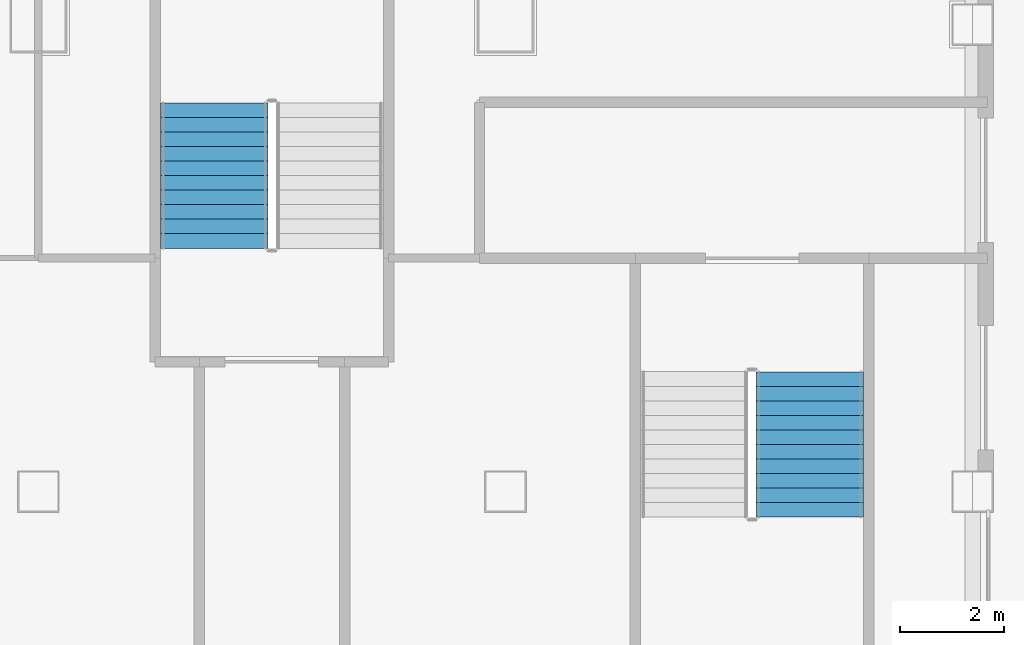
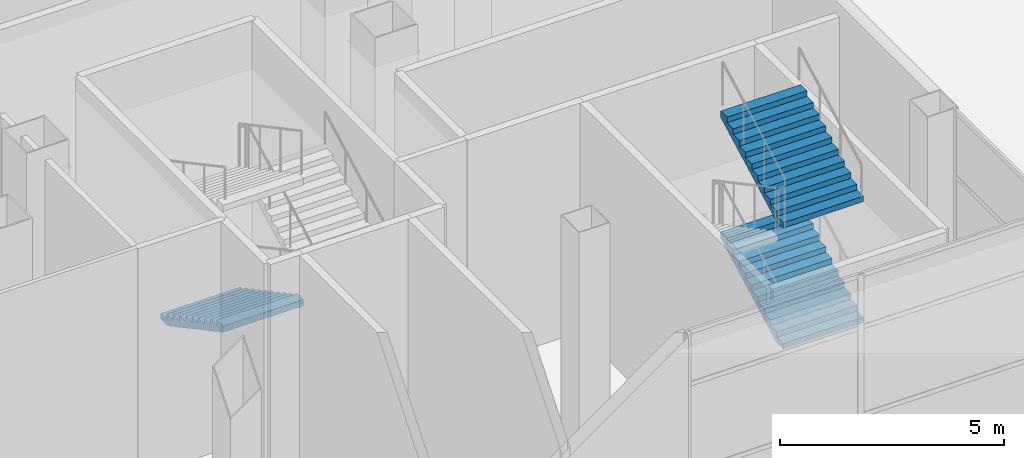
# One storey, part 24 of 38: 3 stair flights, 2 elements without a shape of their own.
"""IFC4 building model written with IfcOpenShell, lengths in metres."""

from ifc_helpers import new_model, si_unit, direction, frame, origin, place, context, subcontext, project, spatial, polygons, material, type_object, element, aggregate, save


model = new_model("IFC4")

# Units and contexts
model_context = context("Model", 3, precision=1e-05, world=origin(), true_north=direction((0.0, 1.0)))
body_context = subcontext(model_context, "Body", "Model", "MODEL_VIEW")
ifc_project = project(units=[si_unit("LENGTHUNIT", "METRE"), si_unit("AREAUNIT", "SQUARE_METRE"), si_unit("VOLUMEUNIT", "CUBIC_METRE"), si_unit("PLANEANGLEUNIT", "RADIAN"), si_unit("MASSUNIT", "GRAM", prefix="KILO")], contexts=[model_context])

# Site, building, storey
site_placement = place(None, origin())
site = spatial("IfcSite", under=ifc_project, at=site_placement, CompositionType="ELEMENT")
building_placement = place(site_placement, origin())
building = spatial("IfcBuilding", under=site, at=building_placement, Name="Caravel Reach Hotel and Residences", CompositionType="ELEMENT")
storey_placement = place(building_placement, origin())
storey = spatial("IfcBuildingStorey", under=building, at=storey_placement, Name="L00", CompositionType="ELEMENT", Elevation=0.0)

# Stair, stair flight
ifc_material_1 = material(Name="Concrete C40", Category="concrete")
stair_type = type_object("IfcStairType", Name="Core stair", PredefinedType="HALF_TURN_STAIR", material=ifc_material_1)
stair_1_placement = place(storey_placement, origin())
stair_1 = element("IfcStair", 1, at=stair_1_placement, inside=storey, type_object=stair_type, Name="L00 Exit stair P4", PredefinedType="HALF_TURN_STAIR")
ifc_material_2 = material(Name="Concrete C40", Category="concrete")
stair_flight_type = type_object("IfcStairFlightType", Name="Core stair flight", PredefinedType="STRAIGHT", material=ifc_material_2)
stair_flight_1_placement = place(storey_placement, frame((52.889892578125, 16.489990234375, 1.64990234375), z_axis=(0.0, 0.0, 1.0), x_axis=(0.0, -1.0, 0.0)))
stair_flight_1 = element("IfcStairFlight", 2, at=stair_flight_1_placement, type_object=stair_flight_type, Name="ST-P4 flight 2", NumberOfRisers=11, NumberOfTreads=10, PredefinedType="STRAIGHT", RiserHeight=0.15, TreadLength=0.28, context=body_context, shape_type="Tessellation", body=[
    polygons([(0.3174408016601862, 1.0350341796875, 0.0), (0.3174408016601862, 0.6900227864583333, 0.0), (0.3174408016601862, 0.34501139322916663, 0.0), (0.3174408016601862, 0.0, 0.0), (0.3174408016601862, -0.34501139322916674, 0.0), (0.3174408016601862, -0.6900227864583333, 0.0), (0.3174408016601862, -1.0350341796875, 0.0), (2.801, 1.0350341796875, 1.329942427682043), (2.801, 0.6900227864583333, 1.329942427682043), (2.801, 0.34501139322916663, 1.329942427682043), (2.801, 0.0, 1.329942427682043), (2.801, -0.34501139322916674, 1.329942427682043), (2.801, -0.6900227864583333, 1.329942427682043), (2.801, -1.0350341796875, 1.329942427682043), (2.801, 1.0350341796875, 1.5), (2.801, 0.6900227864583333, 1.5), (2.801, 0.34501139322916663, 1.5), (2.801, 0.0, 1.5), (2.801, -0.34501139322916674, 1.5), (2.801, -0.6900227864583333, 1.5), (2.801, -1.0350341796875, 1.5), (2.5200000000000005, 1.0350341796875, 1.5), (2.5200000000000005, 0.6900227864583333, 1.5), (2.5200000000000005, 0.34501139322916663, 1.5), (2.5200000000000005, 0.0, 1.5), (2.5200000000000005, -0.34501139322916674, 1.5), (2.5200000000000005, -0.6900227864583333, 1.5), (2.5200000000000005, -1.0350341796875, 1.5), (2.5200000000000005, 1.0350341796875, 1.3499999999999999), (2.5200000000000005, 0.6900227864583333, 1.3499999999999999), (2.5200000000000005, 0.34501139322916663, 1.3499999999999999), (2.5200000000000005, 0.0, 1.3499999999999999), (2.5200000000000005, -0.34501139322916674, 1.3499999999999999), (2.5200000000000005, -0.6900227864583333, 1.3499999999999999), (2.5200000000000005, -1.0350341796875, 1.3499999999999999), (2.24, 1.0350341796875, 1.3499999999999999), (2.24, 0.6900227864583333, 1.3499999999999999), (2.24, 0.34501139322916663, 1.3499999999999999), (2.24, 0.0, 1.3499999999999999), (2.24, -0.34501139322916674, 1.3499999999999999), (2.24, -0.6900227864583333, 1.3499999999999999), (2.24, -1.0350341796875, 1.3499999999999999), (2.24, 1.0350341796875, 1.2), (2.24, 0.6900227864583333, 1.2), (2.24, 0.34501139322916663, 1.2), (2.24, 0.0, 1.2), (2.24, -0.34501139322916674, 1.2), (2.24, -0.6900227864583333, 1.2), (2.24, -1.0350341796875, 1.2), (1.9600000000000002, 1.0350341796875, 1.2), (1.9600000000000002, 0.6900227864583333, 1.2), (1.9600000000000002, 0.34501139322916663, 1.2), (1.9600000000000002, 0.0, 1.2), (1.9600000000000002, -0.34501139322916674, 1.2), (1.9600000000000002, -0.6900227864583333, 1.2), (1.9600000000000002, -1.0350341796875, 1.2), (1.9600000000000002, 1.0350341796875, 1.05), (1.9600000000000002, 0.6900227864583333, 1.05), (1.9600000000000002, 0.34501139322916663, 1.05), (1.9600000000000002, 0.0, 1.05), (1.9600000000000002, -0.34501139322916674, 1.05), (1.9600000000000002, -0.6900227864583333, 1.05), (1.9600000000000002, -1.0350341796875, 1.05), (1.6800000000000002, 1.0350341796875, 1.05), (1.6800000000000002, 0.6900227864583333, 1.05), (1.6800000000000002, 0.34501139322916663, 1.05), (1.6800000000000002, 0.0, 1.05), (1.6800000000000002, -0.34501139322916674, 1.05), (1.6800000000000002, -0.6900227864583333, 1.05), (1.6800000000000002, -1.0350341796875, 1.05), (1.6800000000000002, 1.0350341796875, 0.8999999999999999), (1.6800000000000002, 0.6900227864583333, 0.8999999999999999), (1.6800000000000002, 0.34501139322916663, 0.8999999999999999), (1.6800000000000002, 0.0, 0.8999999999999999), (1.6800000000000002, -0.34501139322916674, 0.8999999999999999), (1.6800000000000002, -0.6900227864583333, 0.8999999999999999), (1.6800000000000002, -1.0350341796875, 0.8999999999999999), (1.4000000000000001, 1.0350341796875, 0.8999999999999999), (1.4000000000000001, 0.6900227864583333, 0.8999999999999999), (1.4000000000000001, 0.34501139322916663, 0.8999999999999999), (1.4000000000000001, 0.0, 0.8999999999999999), (1.4000000000000001, -0.34501139322916674, 0.8999999999999999), (1.4000000000000001, -0.6900227864583333, 0.8999999999999999), (1.4000000000000001, -1.0350341796875, 0.8999999999999999), (1.4000000000000001, 1.0350341796875, 0.75), (1.4000000000000001, 0.6900227864583333, 0.75), (1.4000000000000001, 0.34501139322916663, 0.75), (1.4000000000000001, 0.0, 0.75), (1.4000000000000001, -0.34501139322916674, 0.75), (1.4000000000000001, -0.6900227864583333, 0.75), (1.4000000000000001, -1.0350341796875, 0.75), (1.12, 1.0350341796875, 0.75), (1.12, 0.6900227864583333, 0.75), (1.12, 0.34501139322916663, 0.75), (1.12, 0.0, 0.75), (1.12, -0.34501139322916674, 0.75), (1.12, -0.6900227864583333, 0.75), (1.12, -1.0350341796875, 0.75), (1.12, 1.0350341796875, 0.6), (1.12, 0.6900227864583333, 0.6), (1.12, 0.34501139322916663, 0.6), (1.12, 0.0, 0.6), (1.12, -0.34501139322916674, 0.6), (1.12, -0.6900227864583333, 0.6), (1.12, -1.0350341796875, 0.6), (0.8400000000000001, 1.0350341796875, 0.6), (0.8400000000000001, 0.6900227864583333, 0.6), (0.8400000000000001, 0.34501139322916663, 0.6), (0.8400000000000001, 0.0, 0.6), (0.8400000000000001, -0.34501139322916674, 0.6), (0.8400000000000001, -0.6900227864583333, 0.6), (0.8400000000000001, -1.0350341796875, 0.6), (0.8400000000000001, 1.0350341796875, 0.44999999999999996), (0.8400000000000001, 0.6900227864583333, 0.44999999999999996), (0.8400000000000001, 0.34501139322916663, 0.44999999999999996), (0.8400000000000001, 0.0, 0.44999999999999996), (0.8400000000000001, -0.34501139322916674, 0.44999999999999996), (0.8400000000000001, -0.6900227864583333, 0.44999999999999996), (0.8400000000000001, -1.0350341796875, 0.44999999999999996), (0.56, 1.0350341796875, 0.44999999999999996), (0.56, 0.6900227864583333, 0.44999999999999996), (0.56, 0.34501139322916663, 0.44999999999999996), (0.56, 0.0, 0.44999999999999996), (0.56, -0.34501139322916674, 0.44999999999999996), (0.56, -0.6900227864583333, 0.44999999999999996), (0.56, -1.0350341796875, 0.44999999999999996), (0.56, 1.0350341796875, 0.3), (0.56, 0.6900227864583333, 0.3), (0.56, 0.34501139322916663, 0.3), (0.56, 0.0, 0.3), (0.56, -0.34501139322916674, 0.3), (0.56, -0.6900227864583333, 0.3), (0.56, -1.0350341796875, 0.3), (0.28, 1.0350341796875, 0.3), (0.28, 0.6900227864583333, 0.3), (0.28, 0.34501139322916663, 0.3), (0.28, 0.0, 0.3), (0.28, -0.34501139322916674, 0.3), (0.28, -0.6900227864583333, 0.3), (0.28, -1.0350341796875, 0.3), (0.28, 1.0350341796875, 0.15), (0.28, 0.6900227864583333, 0.15), (0.28, 0.34501139322916663, 0.15), (0.28, 0.0, 0.15), (0.28, -0.34501139322916674, 0.15), (0.28, -0.6900227864583333, 0.15), (0.28, -1.0350341796875, 0.15), (-0.001, 1.0350341796875, 0.15), (-0.001, 0.6900227864583333, 0.15), (-0.001, 0.34501139322916663, 0.15), (-0.001, 0.0, 0.15), (-0.001, -0.34501139322916674, 0.15), (-0.001, -0.6900227864583333, 0.15), (-0.001, -1.0350341796875, 0.15), (-0.001, 1.0350341796875, 0.0), (-0.001, 0.6900227864583333, 0.0), (-0.001, 0.34501139322916663, 0.0), (-0.001, 0.0, 0.0), (-0.001, -0.34501139322916674, 0.0), (-0.001, -0.6900227864583333, 0.0), (-0.001, -1.0350341796875, 0.0)], [[[155, 148, 141, 134, 127, 120, 113, 106, 99, 92, 85, 78, 71, 64, 57, 50, 43, 36, 29, 22, 15, 8, 1]], [[7, 14, 21, 28, 35, 42, 49, 56, 63, 70, 77, 84, 91, 98, 105, 112, 119, 126, 133, 140, 147, 154, 161]], [[1, 8, 9, 2]], [[2, 9, 10, 3]], [[3, 10, 11, 4]], [[4, 11, 12, 5]], [[5, 12, 13, 6]], [[6, 13, 14, 7]], [[8, 15, 16, 9]], [[9, 16, 17, 10]], [[10, 17, 18, 11]], [[11, 18, 19, 12]], [[12, 19, 20, 13]], [[13, 20, 21, 14]], [[15, 22, 23, 16]], [[16, 23, 24, 17]], [[17, 24, 25, 18]], [[18, 25, 26, 19]], [[19, 26, 27, 20]], [[20, 27, 28, 21]], [[22, 29, 30, 23]], [[23, 30, 31, 24]], [[24, 31, 32, 25]], [[25, 32, 33, 26]], [[26, 33, 34, 27]], [[27, 34, 35, 28]], [[29, 36, 37, 30]], [[30, 37, 38, 31]], [[31, 38, 39, 32]], [[32, 39, 40, 33]], [[33, 40, 41, 34]], [[34, 41, 42, 35]], [[36, 43, 44, 37]], [[37, 44, 45, 38]], [[38, 45, 46, 39]], [[39, 46, 47, 40]], [[40, 47, 48, 41]], [[41, 48, 49, 42]], [[43, 50, 51, 44]], [[44, 51, 52, 45]], [[45, 52, 53, 46]], [[46, 53, 54, 47]], [[47, 54, 55, 48]], [[48, 55, 56, 49]], [[50, 57, 58, 51]], [[51, 58, 59, 52]], [[52, 59, 60, 53]], [[53, 60, 61, 54]], [[54, 61, 62, 55]], [[55, 62, 63, 56]], [[57, 64, 65, 58]], [[58, 65, 66, 59]], [[59, 66, 67, 60]], [[60, 67, 68, 61]], [[61, 68, 69, 62]], [[62, 69, 70, 63]], [[64, 71, 72, 65]], [[65, 72, 73, 66]], [[66, 73, 74, 67]], [[67, 74, 75, 68]], [[68, 75, 76, 69]], [[69, 76, 77, 70]], [[71, 78, 79, 72]], [[72, 79, 80, 73]], [[73, 80, 81, 74]], [[74, 81, 82, 75]], [[75, 82, 83, 76]], [[76, 83, 84, 77]], [[78, 85, 86, 79]], [[79, 86, 87, 80]], [[80, 87, 88, 81]], [[81, 88, 89, 82]], [[82, 89, 90, 83]], [[83, 90, 91, 84]], [[85, 92, 93, 86]], [[86, 93, 94, 87]], [[87, 94, 95, 88]], [[88, 95, 96, 89]], [[89, 96, 97, 90]], [[90, 97, 98, 91]], [[92, 99, 100, 93]], [[93, 100, 101, 94]], [[94, 101, 102, 95]], [[95, 102, 103, 96]], [[96, 103, 104, 97]], [[97, 104, 105, 98]], [[99, 106, 107, 100]], [[100, 107, 108, 101]], [[101, 108, 109, 102]], [[102, 109, 110, 103]], [[103, 110, 111, 104]], [[104, 111, 112, 105]], [[106, 113, 114, 107]], [[107, 114, 115, 108]], [[108, 115, 116, 109]], [[109, 116, 117, 110]], [[110, 117, 118, 111]], [[111, 118, 119, 112]], [[113, 120, 121, 114]], [[114, 121, 122, 115]], [[115, 122, 123, 116]], [[116, 123, 124, 117]], [[117, 124, 125, 118]], [[118, 125, 126, 119]], [[120, 127, 128, 121]], [[121, 128, 129, 122]], [[122, 129, 130, 123]], [[123, 130, 131, 124]], [[124, 131, 132, 125]], [[125, 132, 133, 126]], [[127, 134, 135, 128]], [[128, 135, 136, 129]], [[129, 136, 137, 130]], [[130, 137, 138, 131]], [[131, 138, 139, 132]], [[132, 139, 140, 133]], [[134, 141, 142, 135]], [[135, 142, 143, 136]], [[136, 143, 144, 137]], [[137, 144, 145, 138]], [[138, 145, 146, 139]], [[139, 146, 147, 140]], [[141, 148, 149, 142]], [[142, 149, 150, 143]], [[143, 150, 151, 144]], [[144, 151, 152, 145]], [[145, 152, 153, 146]], [[146, 153, 154, 147]], [[148, 155, 156, 149]], [[149, 156, 157, 150]], [[150, 157, 158, 151]], [[151, 158, 159, 152]], [[152, 159, 160, 153]], [[153, 160, 161, 154]], [[155, 1, 2, 156]], [[156, 2, 3, 157]], [[157, 3, 4, 158]], [[158, 4, 5, 159]], [[159, 5, 6, 160]], [[160, 6, 7, 161]]], closed=True),
])
aggregate(stair_1, [stair_flight_1])

# Stair, stair flights
stair_2_placement = place(storey_placement, origin())
stair_2 = element("IfcStair", 3, at=stair_2_placement, inside=storey, type_object=stair_type, Name="L00 Exit stair P7", PredefinedType="HALF_TURN_STAIR")
stair_flight_2_placement = place(storey_placement, frame((64.360107421875, 8.510009765625, 1.64990234375), z_axis=(0.0, 0.0, 1.0), x_axis=(0.0, 1.0, 0.0)))
stair_flight_2 = element("IfcStairFlight", 4, at=stair_flight_2_placement, type_object=stair_flight_type, Name="ST-P7 flight 2", NumberOfRisers=11, NumberOfTreads=10, PredefinedType="STRAIGHT", RiserHeight=0.15, TreadLength=0.28, context=body_context, shape_type="Tessellation", body=[
    polygons([(0.3174408016601862, 1.0350341796875, 0.0), (0.3174408016601862, 0.6900227864583333, 0.0), (0.3174408016601862, 0.34501139322916663, 0.0), (0.3174408016601862, 0.0, 0.0), (0.3174408016601862, -0.34501139322916674, 0.0), (0.3174408016601862, -0.6900227864583333, 0.0), (0.3174408016601862, -1.0350341796875, 0.0), (2.801, 1.0350341796875, 1.329942427682043), (2.801, 0.6900227864583333, 1.329942427682043), (2.801, 0.34501139322916663, 1.329942427682043), (2.801, 0.0, 1.329942427682043), (2.801, -0.34501139322916674, 1.329942427682043), (2.801, -0.6900227864583333, 1.329942427682043), (2.801, -1.0350341796875, 1.329942427682043), (2.801, 1.0350341796875, 1.5), (2.801, 0.6900227864583333, 1.5), (2.801, 0.34501139322916663, 1.5), (2.801, 0.0, 1.5), (2.801, -0.34501139322916674, 1.5), (2.801, -0.6900227864583333, 1.5), (2.801, -1.0350341796875, 1.5), (2.5200000000000005, 1.0350341796875, 1.5), (2.5200000000000005, 0.6900227864583333, 1.5), (2.5200000000000005, 0.34501139322916663, 1.5), (2.5200000000000005, 0.0, 1.5), (2.5200000000000005, -0.34501139322916674, 1.5), (2.5200000000000005, -0.6900227864583333, 1.5), (2.5200000000000005, -1.0350341796875, 1.5), (2.5200000000000005, 1.0350341796875, 1.3499999999999999), (2.5200000000000005, 0.6900227864583333, 1.3499999999999999), (2.5200000000000005, 0.34501139322916663, 1.3499999999999999), (2.5200000000000005, 0.0, 1.3499999999999999), (2.5200000000000005, -0.34501139322916674, 1.3499999999999999), (2.5200000000000005, -0.6900227864583333, 1.3499999999999999), (2.5200000000000005, -1.0350341796875, 1.3499999999999999), (2.24, 1.0350341796875, 1.3499999999999999), (2.24, 0.6900227864583333, 1.3499999999999999), (2.24, 0.34501139322916663, 1.3499999999999999), (2.24, 0.0, 1.3499999999999999), (2.24, -0.34501139322916674, 1.3499999999999999), (2.24, -0.6900227864583333, 1.3499999999999999), (2.24, -1.0350341796875, 1.3499999999999999), (2.24, 1.0350341796875, 1.2), (2.24, 0.6900227864583333, 1.2), (2.24, 0.34501139322916663, 1.2), (2.24, 0.0, 1.2), (2.24, -0.34501139322916674, 1.2), (2.24, -0.6900227864583333, 1.2), (2.24, -1.0350341796875, 1.2), (1.9600000000000002, 1.0350341796875, 1.2), (1.9600000000000002, 0.6900227864583333, 1.2), (1.9600000000000002, 0.34501139322916663, 1.2), (1.9600000000000002, 0.0, 1.2), (1.9600000000000002, -0.34501139322916674, 1.2), (1.9600000000000002, -0.6900227864583333, 1.2), (1.9600000000000002, -1.0350341796875, 1.2), (1.9600000000000002, 1.0350341796875, 1.05), (1.9600000000000002, 0.6900227864583333, 1.05), (1.9600000000000002, 0.34501139322916663, 1.05), (1.9600000000000002, 0.0, 1.05), (1.9600000000000002, -0.34501139322916674, 1.05), (1.9600000000000002, -0.6900227864583333, 1.05), (1.9600000000000002, -1.0350341796875, 1.05), (1.6800000000000002, 1.0350341796875, 1.05), (1.6800000000000002, 0.6900227864583333, 1.05), (1.6800000000000002, 0.34501139322916663, 1.05), (1.6800000000000002, 0.0, 1.05), (1.6800000000000002, -0.34501139322916674, 1.05), (1.6800000000000002, -0.6900227864583333, 1.05), (1.6800000000000002, -1.0350341796875, 1.05), (1.6800000000000002, 1.0350341796875, 0.8999999999999999), (1.6800000000000002, 0.6900227864583333, 0.8999999999999999), (1.6800000000000002, 0.34501139322916663, 0.8999999999999999), (1.6800000000000002, 0.0, 0.8999999999999999), (1.6800000000000002, -0.34501139322916674, 0.8999999999999999), (1.6800000000000002, -0.6900227864583333, 0.8999999999999999), (1.6800000000000002, -1.0350341796875, 0.8999999999999999), (1.4000000000000001, 1.0350341796875, 0.8999999999999999), (1.4000000000000001, 0.6900227864583333, 0.8999999999999999), (1.4000000000000001, 0.34501139322916663, 0.8999999999999999), (1.4000000000000001, 0.0, 0.8999999999999999), (1.4000000000000001, -0.34501139322916674, 0.8999999999999999), (1.4000000000000001, -0.6900227864583333, 0.8999999999999999), (1.4000000000000001, -1.0350341796875, 0.8999999999999999), (1.4000000000000001, 1.0350341796875, 0.75), (1.4000000000000001, 0.6900227864583333, 0.75), (1.4000000000000001, 0.34501139322916663, 0.75), (1.4000000000000001, 0.0, 0.75), (1.4000000000000001, -0.34501139322916674, 0.75), (1.4000000000000001, -0.6900227864583333, 0.75), (1.4000000000000001, -1.0350341796875, 0.75), (1.12, 1.0350341796875, 0.75), (1.12, 0.6900227864583333, 0.75), (1.12, 0.34501139322916663, 0.75), (1.12, 0.0, 0.75), (1.12, -0.34501139322916674, 0.75), (1.12, -0.6900227864583333, 0.75), (1.12, -1.0350341796875, 0.75), (1.12, 1.0350341796875, 0.6), (1.12, 0.6900227864583333, 0.6), (1.12, 0.34501139322916663, 0.6), (1.12, 0.0, 0.6), (1.12, -0.34501139322916674, 0.6), (1.12, -0.6900227864583333, 0.6), (1.12, -1.0350341796875, 0.6), (0.8400000000000001, 1.0350341796875, 0.6), (0.8400000000000001, 0.6900227864583333, 0.6), (0.8400000000000001, 0.34501139322916663, 0.6), (0.8400000000000001, 0.0, 0.6), (0.8400000000000001, -0.34501139322916674, 0.6), (0.8400000000000001, -0.6900227864583333, 0.6), (0.8400000000000001, -1.0350341796875, 0.6), (0.8400000000000001, 1.0350341796875, 0.44999999999999996), (0.8400000000000001, 0.6900227864583333, 0.44999999999999996), (0.8400000000000001, 0.34501139322916663, 0.44999999999999996), (0.8400000000000001, 0.0, 0.44999999999999996), (0.8400000000000001, -0.34501139322916674, 0.44999999999999996), (0.8400000000000001, -0.6900227864583333, 0.44999999999999996), (0.8400000000000001, -1.0350341796875, 0.44999999999999996), (0.56, 1.0350341796875, 0.44999999999999996), (0.56, 0.6900227864583333, 0.44999999999999996), (0.56, 0.34501139322916663, 0.44999999999999996), (0.56, 0.0, 0.44999999999999996), (0.56, -0.34501139322916674, 0.44999999999999996), (0.56, -0.6900227864583333, 0.44999999999999996), (0.56, -1.0350341796875, 0.44999999999999996), (0.56, 1.0350341796875, 0.3), (0.56, 0.6900227864583333, 0.3), (0.56, 0.34501139322916663, 0.3), (0.56, 0.0, 0.3), (0.56, -0.34501139322916674, 0.3), (0.56, -0.6900227864583333, 0.3), (0.56, -1.0350341796875, 0.3), (0.28, 1.0350341796875, 0.3), (0.28, 0.6900227864583333, 0.3), (0.28, 0.34501139322916663, 0.3), (0.28, 0.0, 0.3), (0.28, -0.34501139322916674, 0.3), (0.28, -0.6900227864583333, 0.3), (0.28, -1.0350341796875, 0.3), (0.28, 1.0350341796875, 0.15), (0.28, 0.6900227864583333, 0.15), (0.28, 0.34501139322916663, 0.15), (0.28, 0.0, 0.15), (0.28, -0.34501139322916674, 0.15), (0.28, -0.6900227864583333, 0.15), (0.28, -1.0350341796875, 0.15), (-0.001, 1.0350341796875, 0.15), (-0.001, 0.6900227864583333, 0.15), (-0.001, 0.34501139322916663, 0.15), (-0.001, 0.0, 0.15), (-0.001, -0.34501139322916674, 0.15), (-0.001, -0.6900227864583333, 0.15), (-0.001, -1.0350341796875, 0.15), (-0.001, 1.0350341796875, 0.0), (-0.001, 0.6900227864583333, 0.0), (-0.001, 0.34501139322916663, 0.0), (-0.001, 0.0, 0.0), (-0.001, -0.34501139322916674, 0.0), (-0.001, -0.6900227864583333, 0.0), (-0.001, -1.0350341796875, 0.0)], [[[155, 148, 141, 134, 127, 120, 113, 106, 99, 92, 85, 78, 71, 64, 57, 50, 43, 36, 29, 22, 15, 8, 1]], [[7, 14, 21, 28, 35, 42, 49, 56, 63, 70, 77, 84, 91, 98, 105, 112, 119, 126, 133, 140, 147, 154, 161]], [[1, 8, 9, 2]], [[2, 9, 10, 3]], [[3, 10, 11, 4]], [[4, 11, 12, 5]], [[5, 12, 13, 6]], [[6, 13, 14, 7]], [[8, 15, 16, 9]], [[9, 16, 17, 10]], [[10, 17, 18, 11]], [[11, 18, 19, 12]], [[12, 19, 20, 13]], [[13, 20, 21, 14]], [[15, 22, 23, 16]], [[16, 23, 24, 17]], [[17, 24, 25, 18]], [[18, 25, 26, 19]], [[19, 26, 27, 20]], [[20, 27, 28, 21]], [[22, 29, 30, 23]], [[23, 30, 31, 24]], [[24, 31, 32, 25]], [[25, 32, 33, 26]], [[26, 33, 34, 27]], [[27, 34, 35, 28]], [[29, 36, 37, 30]], [[30, 37, 38, 31]], [[31, 38, 39, 32]], [[32, 39, 40, 33]], [[33, 40, 41, 34]], [[34, 41, 42, 35]], [[36, 43, 44, 37]], [[37, 44, 45, 38]], [[38, 45, 46, 39]], [[39, 46, 47, 40]], [[40, 47, 48, 41]], [[41, 48, 49, 42]], [[43, 50, 51, 44]], [[44, 51, 52, 45]], [[45, 52, 53, 46]], [[46, 53, 54, 47]], [[47, 54, 55, 48]], [[48, 55, 56, 49]], [[50, 57, 58, 51]], [[51, 58, 59, 52]], [[52, 59, 60, 53]], [[53, 60, 61, 54]], [[54, 61, 62, 55]], [[55, 62, 63, 56]], [[57, 64, 65, 58]], [[58, 65, 66, 59]], [[59, 66, 67, 60]], [[60, 67, 68, 61]], [[61, 68, 69, 62]], [[62, 69, 70, 63]], [[64, 71, 72, 65]], [[65, 72, 73, 66]], [[66, 73, 74, 67]], [[67, 74, 75, 68]], [[68, 75, 76, 69]], [[69, 76, 77, 70]], [[71, 78, 79, 72]], [[72, 79, 80, 73]], [[73, 80, 81, 74]], [[74, 81, 82, 75]], [[75, 82, 83, 76]], [[76, 83, 84, 77]], [[78, 85, 86, 79]], [[79, 86, 87, 80]], [[80, 87, 88, 81]], [[81, 88, 89, 82]], [[82, 89, 90, 83]], [[83, 90, 91, 84]], [[85, 92, 93, 86]], [[86, 93, 94, 87]], [[87, 94, 95, 88]], [[88, 95, 96, 89]], [[89, 96, 97, 90]], [[90, 97, 98, 91]], [[92, 99, 100, 93]], [[93, 100, 101, 94]], [[94, 101, 102, 95]], [[95, 102, 103, 96]], [[96, 103, 104, 97]], [[97, 104, 105, 98]], [[99, 106, 107, 100]], [[100, 107, 108, 101]], [[101, 108, 109, 102]], [[102, 109, 110, 103]], [[103, 110, 111, 104]], [[104, 111, 112, 105]], [[106, 113, 114, 107]], [[107, 114, 115, 108]], [[108, 115, 116, 109]], [[109, 116, 117, 110]], [[110, 117, 118, 111]], [[111, 118, 119, 112]], [[113, 120, 121, 114]], [[114, 121, 122, 115]], [[115, 122, 123, 116]], [[116, 123, 124, 117]], [[117, 124, 125, 118]], [[118, 125, 126, 119]], [[120, 127, 128, 121]], [[121, 128, 129, 122]], [[122, 129, 130, 123]], [[123, 130, 131, 124]], [[124, 131, 132, 125]], [[125, 132, 133, 126]], [[127, 134, 135, 128]], [[128, 135, 136, 129]], [[129, 136, 137, 130]], [[130, 137, 138, 131]], [[131, 138, 139, 132]], [[132, 139, 140, 133]], [[134, 141, 142, 135]], [[135, 142, 143, 136]], [[136, 143, 144, 137]], [[137, 144, 145, 138]], [[138, 145, 146, 139]], [[139, 146, 147, 140]], [[141, 148, 149, 142]], [[142, 149, 150, 143]], [[143, 150, 151, 144]], [[144, 151, 152, 145]], [[145, 152, 153, 146]], [[146, 153, 154, 147]], [[148, 155, 156, 149]], [[149, 156, 157, 150]], [[150, 157, 158, 151]], [[151, 158, 159, 152]], [[152, 159, 160, 153]], [[153, 160, 161, 154]], [[155, 1, 2, 156]], [[156, 2, 3, 157]], [[157, 3, 4, 158]], [[158, 4, 5, 159]], [[159, 5, 6, 160]], [[160, 6, 7, 161]]], closed=True),
])
stair_flight_3_placement = place(storey_placement, frame((64.360107421875, 8.510009765625, 4.949951171875), z_axis=(0.0, 0.0, 1.0), x_axis=(0.0, 1.0, 0.0)))
stair_flight_3 = element("IfcStairFlight", 5, at=stair_flight_3_placement, type_object=stair_flight_type, Name="ST-P7 flight 4", NumberOfRisers=11, NumberOfTreads=10, PredefinedType="STRAIGHT", RiserHeight=0.15, TreadLength=0.28, context=body_context, shape_type="Tessellation", body=[
    polygons([(0.3174408016601862, 1.0350341796875, 0.0), (0.3174408016601862, 0.6900227864583333, 0.0), (0.3174408016601862, 0.34501139322916663, 0.0), (0.3174408016601862, 0.0, 0.0), (0.3174408016601862, -0.34501139322916674, 0.0), (0.3174408016601862, -0.6900227864583333, 0.0), (0.3174408016601862, -1.0350341796875, 0.0), (2.801, 1.0350341796875, 1.329942427682043), (2.801, 0.6900227864583333, 1.329942427682043), (2.801, 0.34501139322916663, 1.329942427682043), (2.801, 0.0, 1.329942427682043), (2.801, -0.34501139322916674, 1.329942427682043), (2.801, -0.6900227864583333, 1.329942427682043), (2.801, -1.0350341796875, 1.329942427682043), (2.801, 1.0350341796875, 1.5), (2.801, 0.6900227864583333, 1.5), (2.801, 0.34501139322916663, 1.5), (2.801, 0.0, 1.5), (2.801, -0.34501139322916674, 1.5), (2.801, -0.6900227864583333, 1.5), (2.801, -1.0350341796875, 1.5), (2.5200000000000005, 1.0350341796875, 1.5), (2.5200000000000005, 0.6900227864583333, 1.5), (2.5200000000000005, 0.34501139322916663, 1.5), (2.5200000000000005, 0.0, 1.5), (2.5200000000000005, -0.34501139322916674, 1.5), (2.5200000000000005, -0.6900227864583333, 1.5), (2.5200000000000005, -1.0350341796875, 1.5), (2.5200000000000005, 1.0350341796875, 1.3499999999999999), (2.5200000000000005, 0.6900227864583333, 1.3499999999999999), (2.5200000000000005, 0.34501139322916663, 1.3499999999999999), (2.5200000000000005, 0.0, 1.3499999999999999), (2.5200000000000005, -0.34501139322916674, 1.3499999999999999), (2.5200000000000005, -0.6900227864583333, 1.3499999999999999), (2.5200000000000005, -1.0350341796875, 1.3499999999999999), (2.24, 1.0350341796875, 1.3499999999999999), (2.24, 0.6900227864583333, 1.3499999999999999), (2.24, 0.34501139322916663, 1.3499999999999999), (2.24, 0.0, 1.3499999999999999), (2.24, -0.34501139322916674, 1.3499999999999999), (2.24, -0.6900227864583333, 1.3499999999999999), (2.24, -1.0350341796875, 1.3499999999999999), (2.24, 1.0350341796875, 1.2), (2.24, 0.6900227864583333, 1.2), (2.24, 0.34501139322916663, 1.2), (2.24, 0.0, 1.2), (2.24, -0.34501139322916674, 1.2), (2.24, -0.6900227864583333, 1.2), (2.24, -1.0350341796875, 1.2), (1.9600000000000002, 1.0350341796875, 1.2), (1.9600000000000002, 0.6900227864583333, 1.2), (1.9600000000000002, 0.34501139322916663, 1.2), (1.9600000000000002, 0.0, 1.2), (1.9600000000000002, -0.34501139322916674, 1.2), (1.9600000000000002, -0.6900227864583333, 1.2), (1.9600000000000002, -1.0350341796875, 1.2), (1.9600000000000002, 1.0350341796875, 1.05), (1.9600000000000002, 0.6900227864583333, 1.05), (1.9600000000000002, 0.34501139322916663, 1.05), (1.9600000000000002, 0.0, 1.05), (1.9600000000000002, -0.34501139322916674, 1.05), (1.9600000000000002, -0.6900227864583333, 1.05), (1.9600000000000002, -1.0350341796875, 1.05), (1.6800000000000002, 1.0350341796875, 1.05), (1.6800000000000002, 0.6900227864583333, 1.05), (1.6800000000000002, 0.34501139322916663, 1.05), (1.6800000000000002, 0.0, 1.05), (1.6800000000000002, -0.34501139322916674, 1.05), (1.6800000000000002, -0.6900227864583333, 1.05), (1.6800000000000002, -1.0350341796875, 1.05), (1.6800000000000002, 1.0350341796875, 0.8999999999999999), (1.6800000000000002, 0.6900227864583333, 0.8999999999999999), (1.6800000000000002, 0.34501139322916663, 0.8999999999999999), (1.6800000000000002, 0.0, 0.8999999999999999), (1.6800000000000002, -0.34501139322916674, 0.8999999999999999), (1.6800000000000002, -0.6900227864583333, 0.8999999999999999), (1.6800000000000002, -1.0350341796875, 0.8999999999999999), (1.4000000000000001, 1.0350341796875, 0.8999999999999999), (1.4000000000000001, 0.6900227864583333, 0.8999999999999999), (1.4000000000000001, 0.34501139322916663, 0.8999999999999999), (1.4000000000000001, 0.0, 0.8999999999999999), (1.4000000000000001, -0.34501139322916674, 0.8999999999999999), (1.4000000000000001, -0.6900227864583333, 0.8999999999999999), (1.4000000000000001, -1.0350341796875, 0.8999999999999999), (1.4000000000000001, 1.0350341796875, 0.75), (1.4000000000000001, 0.6900227864583333, 0.75), (1.4000000000000001, 0.34501139322916663, 0.75), (1.4000000000000001, 0.0, 0.75), (1.4000000000000001, -0.34501139322916674, 0.75), (1.4000000000000001, -0.6900227864583333, 0.75), (1.4000000000000001, -1.0350341796875, 0.75), (1.12, 1.0350341796875, 0.75), (1.12, 0.6900227864583333, 0.75), (1.12, 0.34501139322916663, 0.75), (1.12, 0.0, 0.75), (1.12, -0.34501139322916674, 0.75), (1.12, -0.6900227864583333, 0.75), (1.12, -1.0350341796875, 0.75), (1.12, 1.0350341796875, 0.6), (1.12, 0.6900227864583333, 0.6), (1.12, 0.34501139322916663, 0.6), (1.12, 0.0, 0.6), (1.12, -0.34501139322916674, 0.6), (1.12, -0.6900227864583333, 0.6), (1.12, -1.0350341796875, 0.6), (0.8400000000000001, 1.0350341796875, 0.6), (0.8400000000000001, 0.6900227864583333, 0.6), (0.8400000000000001, 0.34501139322916663, 0.6), (0.8400000000000001, 0.0, 0.6), (0.8400000000000001, -0.34501139322916674, 0.6), (0.8400000000000001, -0.6900227864583333, 0.6), (0.8400000000000001, -1.0350341796875, 0.6), (0.8400000000000001, 1.0350341796875, 0.44999999999999996), (0.8400000000000001, 0.6900227864583333, 0.44999999999999996), (0.8400000000000001, 0.34501139322916663, 0.44999999999999996), (0.8400000000000001, 0.0, 0.44999999999999996), (0.8400000000000001, -0.34501139322916674, 0.44999999999999996), (0.8400000000000001, -0.6900227864583333, 0.44999999999999996), (0.8400000000000001, -1.0350341796875, 0.44999999999999996), (0.56, 1.0350341796875, 0.44999999999999996), (0.56, 0.6900227864583333, 0.44999999999999996), (0.56, 0.34501139322916663, 0.44999999999999996), (0.56, 0.0, 0.44999999999999996), (0.56, -0.34501139322916674, 0.44999999999999996), (0.56, -0.6900227864583333, 0.44999999999999996), (0.56, -1.0350341796875, 0.44999999999999996), (0.56, 1.0350341796875, 0.3), (0.56, 0.6900227864583333, 0.3), (0.56, 0.34501139322916663, 0.3), (0.56, 0.0, 0.3), (0.56, -0.34501139322916674, 0.3), (0.56, -0.6900227864583333, 0.3), (0.56, -1.0350341796875, 0.3), (0.28, 1.0350341796875, 0.3), (0.28, 0.6900227864583333, 0.3), (0.28, 0.34501139322916663, 0.3), (0.28, 0.0, 0.3), (0.28, -0.34501139322916674, 0.3), (0.28, -0.6900227864583333, 0.3), (0.28, -1.0350341796875, 0.3), (0.28, 1.0350341796875, 0.15), (0.28, 0.6900227864583333, 0.15), (0.28, 0.34501139322916663, 0.15), (0.28, 0.0, 0.15), (0.28, -0.34501139322916674, 0.15), (0.28, -0.6900227864583333, 0.15), (0.28, -1.0350341796875, 0.15), (-0.001, 1.0350341796875, 0.15), (-0.001, 0.6900227864583333, 0.15), (-0.001, 0.34501139322916663, 0.15), (-0.001, 0.0, 0.15), (-0.001, -0.34501139322916674, 0.15), (-0.001, -0.6900227864583333, 0.15), (-0.001, -1.0350341796875, 0.15), (-0.001, 1.0350341796875, 0.0), (-0.001, 0.6900227864583333, 0.0), (-0.001, 0.34501139322916663, 0.0), (-0.001, 0.0, 0.0), (-0.001, -0.34501139322916674, 0.0), (-0.001, -0.6900227864583333, 0.0), (-0.001, -1.0350341796875, 0.0)], [[[155, 148, 141, 134, 127, 120, 113, 106, 99, 92, 85, 78, 71, 64, 57, 50, 43, 36, 29, 22, 15, 8, 1]], [[7, 14, 21, 28, 35, 42, 49, 56, 63, 70, 77, 84, 91, 98, 105, 112, 119, 126, 133, 140, 147, 154, 161]], [[1, 8, 9, 2]], [[2, 9, 10, 3]], [[3, 10, 11, 4]], [[4, 11, 12, 5]], [[5, 12, 13, 6]], [[6, 13, 14, 7]], [[8, 15, 16, 9]], [[9, 16, 17, 10]], [[10, 17, 18, 11]], [[11, 18, 19, 12]], [[12, 19, 20, 13]], [[13, 20, 21, 14]], [[15, 22, 23, 16]], [[16, 23, 24, 17]], [[17, 24, 25, 18]], [[18, 25, 26, 19]], [[19, 26, 27, 20]], [[20, 27, 28, 21]], [[22, 29, 30, 23]], [[23, 30, 31, 24]], [[24, 31, 32, 25]], [[25, 32, 33, 26]], [[26, 33, 34, 27]], [[27, 34, 35, 28]], [[29, 36, 37, 30]], [[30, 37, 38, 31]], [[31, 38, 39, 32]], [[32, 39, 40, 33]], [[33, 40, 41, 34]], [[34, 41, 42, 35]], [[36, 43, 44, 37]], [[37, 44, 45, 38]], [[38, 45, 46, 39]], [[39, 46, 47, 40]], [[40, 47, 48, 41]], [[41, 48, 49, 42]], [[43, 50, 51, 44]], [[44, 51, 52, 45]], [[45, 52, 53, 46]], [[46, 53, 54, 47]], [[47, 54, 55, 48]], [[48, 55, 56, 49]], [[50, 57, 58, 51]], [[51, 58, 59, 52]], [[52, 59, 60, 53]], [[53, 60, 61, 54]], [[54, 61, 62, 55]], [[55, 62, 63, 56]], [[57, 64, 65, 58]], [[58, 65, 66, 59]], [[59, 66, 67, 60]], [[60, 67, 68, 61]], [[61, 68, 69, 62]], [[62, 69, 70, 63]], [[64, 71, 72, 65]], [[65, 72, 73, 66]], [[66, 73, 74, 67]], [[67, 74, 75, 68]], [[68, 75, 76, 69]], [[69, 76, 77, 70]], [[71, 78, 79, 72]], [[72, 79, 80, 73]], [[73, 80, 81, 74]], [[74, 81, 82, 75]], [[75, 82, 83, 76]], [[76, 83, 84, 77]], [[78, 85, 86, 79]], [[79, 86, 87, 80]], [[80, 87, 88, 81]], [[81, 88, 89, 82]], [[82, 89, 90, 83]], [[83, 90, 91, 84]], [[85, 92, 93, 86]], [[86, 93, 94, 87]], [[87, 94, 95, 88]], [[88, 95, 96, 89]], [[89, 96, 97, 90]], [[90, 97, 98, 91]], [[92, 99, 100, 93]], [[93, 100, 101, 94]], [[94, 101, 102, 95]], [[95, 102, 103, 96]], [[96, 103, 104, 97]], [[97, 104, 105, 98]], [[99, 106, 107, 100]], [[100, 107, 108, 101]], [[101, 108, 109, 102]], [[102, 109, 110, 103]], [[103, 110, 111, 104]], [[104, 111, 112, 105]], [[106, 113, 114, 107]], [[107, 114, 115, 108]], [[108, 115, 116, 109]], [[109, 116, 117, 110]], [[110, 117, 118, 111]], [[111, 118, 119, 112]], [[113, 120, 121, 114]], [[114, 121, 122, 115]], [[115, 122, 123, 116]], [[116, 123, 124, 117]], [[117, 124, 125, 118]], [[118, 125, 126, 119]], [[120, 127, 128, 121]], [[121, 128, 129, 122]], [[122, 129, 130, 123]], [[123, 130, 131, 124]], [[124, 131, 132, 125]], [[125, 132, 133, 126]], [[127, 134, 135, 128]], [[128, 135, 136, 129]], [[129, 136, 137, 130]], [[130, 137, 138, 131]], [[131, 138, 139, 132]], [[132, 139, 140, 133]], [[134, 141, 142, 135]], [[135, 142, 143, 136]], [[136, 143, 144, 137]], [[137, 144, 145, 138]], [[138, 145, 146, 139]], [[139, 146, 147, 140]], [[141, 148, 149, 142]], [[142, 149, 150, 143]], [[143, 150, 151, 144]], [[144, 151, 152, 145]], [[145, 152, 153, 146]], [[146, 153, 154, 147]], [[148, 155, 156, 149]], [[149, 156, 157, 150]], [[150, 157, 158, 151]], [[151, 158, 159, 152]], [[152, 159, 160, 153]], [[153, 160, 161, 154]], [[155, 1, 2, 156]], [[156, 2, 3, 157]], [[157, 3, 4, 158]], [[158, 4, 5, 159]], [[159, 5, 6, 160]], [[160, 6, 7, 161]]], closed=True),
])
aggregate(stair_2, [stair_flight_2, stair_flight_3])

save(model, "model.ifc")
